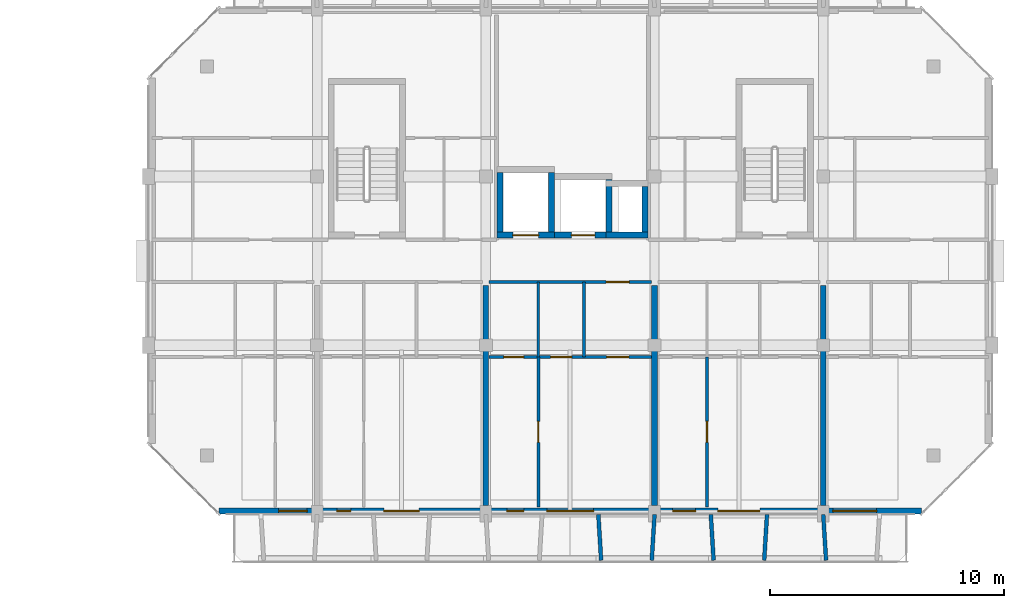
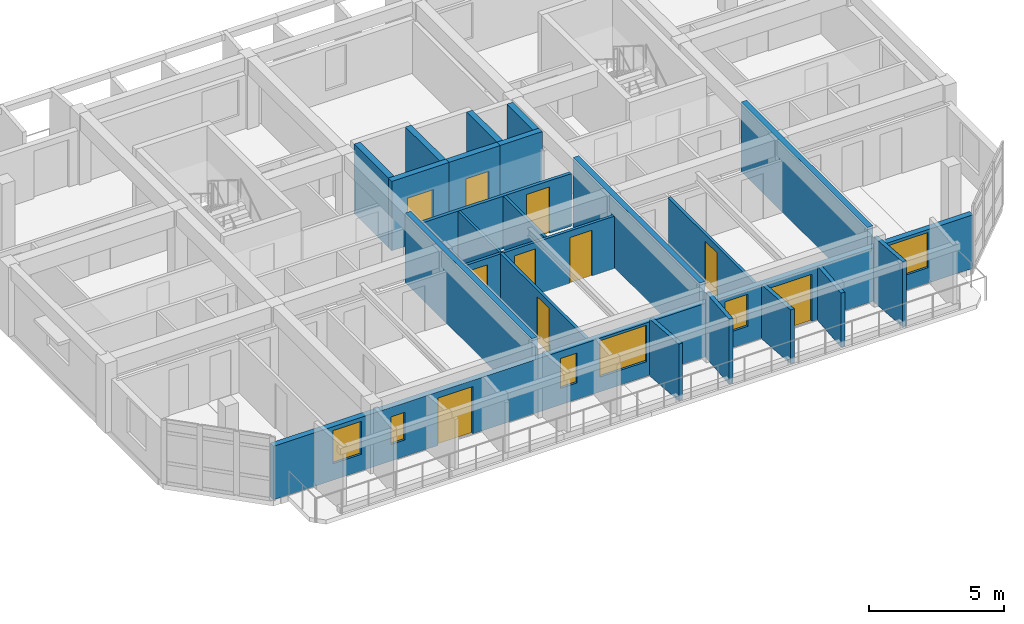
# One storey, part 22 of 43: 22 walls, 10 doors, 6 windows, 16 openings.
"""IFC4 building model written with IfcOpenShell, lengths in metres."""

from ifc_helpers import new_model, si_unit, direction, frame, frame_2d, origin, place, context, subcontext, project, spatial, rectangle, extrude, material, layer, layer_set, type_object, element, fill, save


model = new_model("IFC4")

# Units and contexts
model_context = context("Model", 3, precision=1e-05, world=origin(), true_north=direction((0.0, 1.0)))
body_context = subcontext(model_context, "Body", "Model", "MODEL_VIEW")
ifc_project = project(units=[si_unit("LENGTHUNIT", "METRE"), si_unit("AREAUNIT", "SQUARE_METRE"), si_unit("VOLUMEUNIT", "CUBIC_METRE"), si_unit("PLANEANGLEUNIT", "RADIAN"), si_unit("MASSUNIT", "GRAM", prefix="KILO")], contexts=[model_context])

# Site, building, storey
site_placement = place(None, origin())
site = spatial("IfcSite", under=ifc_project, at=site_placement, CompositionType="ELEMENT")
building_placement = place(site_placement, origin())
building = spatial("IfcBuilding", under=site, at=building_placement, Name="Ochrevale Crest", CompositionType="ELEMENT")
storey_placement = place(building_placement, frame((0.0, 0.0, 15.0)))
storey = spatial("IfcBuildingStorey", under=building, at=storey_placement, Name="L04", CompositionType="ELEMENT", Elevation=15.0)

# Wall, opening, door
ifc_material_1 = material(Name="Gypsum plasterboard", Category="gypsum")
ifc_layer_1 = layer(ifc_material_1, 0.139892578125)
ifc_layer_set_1 = layer_set([ifc_layer_1], Name="Gypsum plasterboard")
wall_type_1 = type_object("IfcWallType", Name="WL-COR-140", PredefinedType="PARTITIONING", material=ifc_layer_set_1)
wall_1_placement = place(storey_placement, frame((144.139892578125, 24.300048828125, 0.0), z_axis=(0.0, 0.0, 1.0), x_axis=(1.0, 0.0, 0.0)))
wall_1 = element("IfcWall", 1, at=wall_1_placement, inside=storey, type_object=wall_type_1, Name="Apartment C-L04-U3 corridor wall", PredefinedType="PARTITIONING", context=body_context, shape_type="SweptSolid", body=[
    extrude(rectangle(XDim=6.920166015625, YDim=0.139892578125, at=frame_2d((3.4599609375, 0.0))), origin(), (0.0, 0.0, 1.0), 2.3798828125),
])
opening_1_placement = place(wall_1_placement, frame((4.9951171875, 0.0, 0.0)))
opening_1 = element("IfcOpeningElement", 2, at=opening_1_placement, cuts=wall_1, Name="Opening FD01", PredefinedType="OPENING", context=body_context, shape_type="SweptSolid", body=[
    extrude(rectangle(XDim=0.97998046875, YDim=2.10009765625, at=frame_2d((0.489990234375, 1.050048828125))), frame((0.0, 0.080078125, 0.0), z_axis=(0.0, -1.0, 0.0), x_axis=(1.0, 0.0, 0.0)), (0.0, 0.0, 1.0), 0.159912109375),
])
ifc_material_2 = material(Name="Solid-core FSC hardwood", Category="wood")
door_type_1 = type_object("IfcDoorType", Name="DR-APT-950", OperationType="NOTDEFINED", PredefinedType="DOOR", material=ifc_material_2)
door_1_placement = place(opening_1_placement, origin())
door_1 = element("IfcDoor", 3, at=door_1_placement, inside=storey, type_object=door_type_1, Name="Apartment C-L04-U3 entrance door", OperationType="SINGLE_SWING_LEFT", OverallHeight=2.10009765625, OverallWidth=0.97998046875, PredefinedType="DOOR", context=body_context, shape_type="SweptSolid", body=[
    extrude(rectangle(XDim=0.97998046875, YDim=2.10009765625, at=frame_2d((0.489990234375, 1.050048828125))), frame((0.0, 0.02490234375, 0.0), z_axis=(0.0, -1.0, 0.0), x_axis=(1.0, 0.0, 0.0)), (0.0, 0.0, 1.0), 0.050048828125),
])
fill(opening_1, door_1)

ifc_material_3 = material(Name="Precast concrete C50/60", Category="concrete")
ifc_layer_2 = layer(ifc_material_3, 0.2548828125)
ifc_layer_set_2 = layer_set([ifc_layer_2], Name="Precast concrete C50/60")
wall_type_2 = type_object("IfcWallType", Name="WL-CORE-255", PredefinedType="SHEAR", material=ifc_layer_set_2)
wall_2_placement = place(storey_placement, frame((144.472412109375, 26.300048828125, 0.0), z_axis=(0.0, 0.0, 1.0), x_axis=(1.0, 0.0, 0.0)))
wall_2 = element("IfcWall", 4, at=wall_2_placement, inside=storey, type_object=wall_type_2, Name="Block C L04 Lift 1 precast shaft shear wall S", PredefinedType="SHEAR", context=body_context, shape_type="SweptSolid", body=[
    extrude(rectangle(XDim=2.455078125, YDim=0.2548828125, at=frame_2d((1.2275390625, 0.0))), origin(), (0.0, 0.0, 1.0), 3.14990234375),
])
opening_2_placement = place(wall_2_placement, frame((0.677490234375, 0.0, 0.0)))
opening_2 = element("IfcOpeningElement", 5, at=opening_2_placement, cuts=wall_2, Name="Opening LD01", PredefinedType="OPENING", context=body_context, shape_type="SweptSolid", body=[
    extrude(rectangle(XDim=1.10009765625, YDim=2.14990234375, at=frame_2d((0.550048828125, 1.074951171875))), frame((0.0, 0.137451171875, 0.0), z_axis=(0.0, -1.0, 0.0), x_axis=(1.0, 0.0, 0.0)), (0.0, 0.0, 1.0), 0.27490234375),
])
door_type_2 = type_object("IfcDoorType", Name="DR-LIFT-1100", OperationType="NOTDEFINED", PredefinedType="DOOR", material=ifc_material_2)
door_2_placement = place(opening_2_placement, origin())
door_2 = element("IfcDoor", 6, at=door_2_placement, inside=storey, type_object=door_type_2, Name="Lift LF-C1 L04 sliding landing door", OperationType="SLIDING_TO_LEFT", OverallHeight=2.14990234375, OverallWidth=1.10009765625, PredefinedType="DOOR", context=body_context, shape_type="SweptSolid", body=[
    extrude(rectangle(XDim=1.10009765625, YDim=2.14990234375, at=frame_2d((0.550048828125, 1.074951171875))), frame((0.0, 0.02490234375, 0.0), z_axis=(0.0, -1.0, 0.0), x_axis=(1.0, 0.0, 0.0)), (0.0, 0.0, 1.0), 0.050048828125),
])
fill(opening_2, door_2)

# Walls
for number, where, z_axis, x_axis, name in (
    (7, (144.60009765625, 26.427490234375, 0.0), (0.0, 0.0, 1.0), (0.0, 1.0, 0.0), "Block C L04 Lift 1 precast shaft shear wall W"),
    (8, (146.800048828125, 26.427490234375, 0.0), (0.0, 0.0, 1.0), (0.0, 1.0, 0.0), "Block C L04 Lift 1 precast shaft shear wall E"),
):
    element("IfcWall", number, at=place(storey_placement, frame(where, z_axis=z_axis, x_axis=x_axis)), inside=storey, type_object=wall_type_2, Name=name, PredefinedType="SHEAR", context=body_context, shape_type="SweptSolid", body=[
        extrude(rectangle(XDim=2.544921875, YDim=0.2548828125, at=frame_2d((1.2724609375, 0.0))), origin(), (0.0, 0.0, 1.0), 3.14990234375),
    ])

# Wall, opening, door
wall_3_placement = place(storey_placement, frame((146.922607421875, 26.300048828125, 0.0), z_axis=(0.0, 0.0, 1.0), x_axis=(1.0, 0.0, 0.0)))
wall_3 = element("IfcWall", 9, at=wall_3_placement, inside=storey, type_object=wall_type_2, Name="Block C L04 Lift 2 precast shaft shear wall S", PredefinedType="SHEAR", context=body_context, shape_type="SweptSolid", body=[
    extrude(rectangle(XDim=2.454833984375, YDim=0.2548828125, at=frame_2d((1.2275390625, 0.0))), origin(), (0.0, 0.0, 1.0), 3.14990234375),
])
opening_3_placement = place(wall_3_placement, frame((0.7275390625, 0.0, 0.0)))
opening_3 = element("IfcOpeningElement", 10, at=opening_3_placement, cuts=wall_3, Name="Opening LD02", PredefinedType="OPENING", context=body_context, shape_type="SweptSolid", body=[
    extrude(rectangle(XDim=1.0, YDim=2.14990234375, at=frame_2d((0.5, 1.074951171875))), frame((0.0, 0.137451171875, 0.0), z_axis=(0.0, -1.0, 0.0), x_axis=(1.0, 0.0, 0.0)), (0.0, 0.0, 1.0), 0.27490234375),
])
door_type_3 = type_object("IfcDoorType", Name="DR-LIFT-1000", OperationType="NOTDEFINED", PredefinedType="DOOR", material=ifc_material_2)
door_3_placement = place(opening_3_placement, origin())
door_3 = element("IfcDoor", 11, at=door_3_placement, inside=storey, type_object=door_type_3, Name="Lift LP-C2 L04 sliding landing door", OperationType="SLIDING_TO_RIGHT", OverallHeight=2.14990234375, OverallWidth=1.0, PredefinedType="DOOR", context=body_context, shape_type="SweptSolid", body=[
    extrude(rectangle(XDim=1.0, YDim=2.14990234375, at=frame_2d((0.5, 1.074951171875))), frame((0.0, 0.02490234375, 0.0), z_axis=(0.0, -1.0, 0.0), x_axis=(1.0, 0.0, 0.0)), (0.0, 0.0, 1.0), 0.050048828125),
])
fill(opening_3, door_3)

# Walls
wall_4_placement = place(storey_placement, frame((149.25, 26.427490234375, 0.0), z_axis=(0.0, 0.0, 1.0), x_axis=(0.0, 1.0, 0.0)))
element("IfcWall", 12, at=wall_4_placement, inside=storey, type_object=wall_type_2, Name="Block C L04 Lift 2 precast shaft shear wall E", PredefinedType="SHEAR", context=body_context, shape_type="SweptSolid", body=[
    extrude(rectangle(XDim=2.2451171875, YDim=0.2548828125, at=frame_2d((1.12255859375, 0.0))), origin(), (0.0, 0.0, 1.0), 3.14990234375),
])
wall_5_placement = place(storey_placement, frame((149.12255859375, 26.300048828125, 0.0), z_axis=(0.0, 0.0, 1.0), x_axis=(1.0, 0.0, 0.0)))
element("IfcWall", 13, at=wall_5_placement, inside=storey, type_object=wall_type_2, Name="Block C L04 services riser shaft core wall S", PredefinedType="SHEAR", context=body_context, shape_type="SweptSolid", body=[
    extrude(rectangle(XDim=1.804931640625, YDim=0.2548828125, at=frame_2d((0.90234375, 0.0))), origin(), (0.0, 0.0, 1.0), 3.14990234375),
])
wall_6_placement = place(storey_placement, frame((150.800048828125, 26.427490234375, 0.0), z_axis=(0.0, 0.0, 1.0), x_axis=(0.0, 1.0, 0.0)))
element("IfcWall", 14, at=wall_6_placement, inside=storey, type_object=wall_type_2, Name="Block C L04 services riser shaft core wall E", PredefinedType="SHEAR", context=body_context, shape_type="SweptSolid", body=[
    extrude(rectangle(XDim=1.945068359375, YDim=0.2548828125, at=frame_2d((0.97265625, 0.0))), origin(), (0.0, 0.0, 1.0), 3.14990234375),
])

# Wall, openings, doors, windows
ifc_material_4 = material(Name="Precast concrete C40/50", Category="concrete")
ifc_layer_3 = layer(ifc_material_4, 0.25)
ifc_layer_set_3 = layer_set([ifc_layer_3], Name="Precast concrete C40/50")
wall_type_3 = type_object("IfcWallType", Name="WL-EXT-GOLD-250", PredefinedType="SOLIDWALL", material=ifc_layer_set_3)
wall_7_placement = place(storey_placement, frame((132.60009765625, 14.52490234375, 0.0), z_axis=(0.0, 0.0, 1.0), x_axis=(1.0, 0.0, 0.0)))
wall_7 = element("IfcWall", 15, at=wall_7_placement, inside=storey, type_object=wall_type_3, Name="Block C L04 external facade wall E1", PredefinedType="SOLIDWALL", context=body_context, shape_type="SweptSolid", body=[
    extrude(rectangle(XDim=30.0, YDim=0.25, at=frame_2d((15.0, 0.0))), origin(), (0.0, 0.0, 1.0), 2.429931640625),
])
opening_4_placement = place(wall_7_placement, frame((8.550048828125, 0.0, 0.0), z_axis=(0.0, 0.0, 1.0), x_axis=(-1.0, 0.0, 0.0)))
opening_4 = element("IfcOpeningElement", 16, at=opening_4_placement, cuts=wall_7, Name="Opening BD01", PredefinedType="OPENING", context=body_context, shape_type="SweptSolid", body=[
    extrude(rectangle(XDim=1.5, YDim=2.14990234375, at=frame_2d((0.75, 1.074951171875))), frame((0.0, 0.135009765625, 0.0), z_axis=(0.0, -1.0, 0.0), x_axis=(1.0, 0.0, 0.0)), (0.0, 0.0, 1.0), 0.27001953125),
])
opening_5_placement = place(wall_7_placement, frame((23.10009765625, 0.0, 0.0), z_axis=(0.0, 0.0, 1.0), x_axis=(-1.0, 0.0, 0.0)))
opening_5 = element("IfcOpeningElement", 17, at=opening_5_placement, cuts=wall_7, Name="Opening BD03", PredefinedType="OPENING", context=body_context, shape_type="SweptSolid", body=[
    extrude(rectangle(XDim=1.800048828125, YDim=2.14990234375, at=frame_2d((0.89990234375, 1.074951171875))), frame((0.0, 0.135009765625, 0.0), z_axis=(0.0, -1.0, 0.0), x_axis=(1.0, 0.0, 0.0)), (0.0, 0.0, 1.0), 0.27001953125),
])
opening_6_placement = place(wall_7_placement, frame((2.554931640625, 0.0, 0.75)))
opening_6 = element("IfcOpeningElement", 18, at=opening_6_placement, cuts=wall_7, Name="Opening W06", PredefinedType="OPENING", context=body_context, shape_type="SweptSolid", body=[
    extrude(rectangle(XDim=1.219970703125, YDim=1.5, at=frame_2d((0.60986328125, 0.75))), frame((0.0, 0.135009765625, 0.0), z_axis=(0.0, -1.0, 0.0), x_axis=(1.0, 0.0, 0.0)), (0.0, 0.0, 1.0), 0.27001953125),
])
opening_7_placement = place(wall_7_placement, frame((5.034912109375, 0.0, 0.75)))
opening_7 = element("IfcOpeningElement", 19, at=opening_7_placement, cuts=wall_7, Name="Opening W01", PredefinedType="OPENING", context=body_context, shape_type="SweptSolid", body=[
    extrude(rectangle(XDim=0.60009765625, YDim=1.25, at=frame_2d((0.300048828125, 0.625))), frame((0.0, 0.135009765625, 0.0), z_axis=(0.0, -1.0, 0.0), x_axis=(1.0, 0.0, 0.0)), (0.0, 0.0, 1.0), 0.27001953125),
])
opening_8_placement = place(wall_7_placement, frame((12.300048828125, 0.0, 0.75)))
opening_8 = element("IfcOpeningElement", 20, at=opening_8_placement, cuts=wall_7, Name="Opening W02", PredefinedType="OPENING", context=body_context, shape_type="SweptSolid", body=[
    extrude(rectangle(XDim=0.719970703125, YDim=1.35009765625, at=frame_2d((0.35986328125, 0.675048828125))), frame((0.0, 0.135009765625, 0.0), z_axis=(0.0, -1.0, 0.0), x_axis=(1.0, 0.0, 0.0)), (0.0, 0.0, 1.0), 0.27001953125),
])
opening_9_placement = place(wall_7_placement, frame((14.0, 0.0, 0.669921875)))
opening_9 = element("IfcOpeningElement", 21, at=opening_9_placement, cuts=wall_7, Name="Opening W12", PredefinedType="OPENING", context=body_context, shape_type="SweptSolid", body=[
    extrude(rectangle(XDim=2.0, YDim=1.64990234375, at=frame_2d((1.0, 0.824951171875))), frame((0.0, 0.135009765625, 0.0), z_axis=(0.0, -1.0, 0.0), x_axis=(1.0, 0.0, 0.0)), (0.0, 0.0, 1.0), 0.27001953125),
])
opening_10_placement = place(wall_7_placement, frame((19.3701171875, 0.0, 0.75)))
opening_10 = element("IfcOpeningElement", 22, at=opening_10_placement, cuts=wall_7, Name="Opening W04", PredefinedType="OPENING", context=body_context, shape_type="SweptSolid", body=[
    extrude(rectangle(XDim=0.97998046875, YDim=1.449951171875, at=frame_2d((0.489990234375, 0.72509765625))), frame((0.0, 0.135009765625, 0.0), z_axis=(0.0, -1.0, 0.0), x_axis=(1.0, 0.0, 0.0)), (0.0, 0.0, 1.0), 0.27001953125),
])
opening_11_placement = place(wall_7_placement, frame((26.215087890625, 0.0, 0.699951171875)))
opening_11 = element("IfcOpeningElement", 23, at=opening_11_placement, cuts=wall_7, Name="Opening W11", PredefinedType="OPENING", context=body_context, shape_type="SweptSolid", body=[
    extrude(rectangle(XDim=1.860107421875, YDim=1.60009765625, at=frame_2d((0.93017578125, 0.800048828125))), frame((0.0, 0.135009765625, 0.0), z_axis=(0.0, -1.0, 0.0), x_axis=(1.0, 0.0, 0.0)), (0.0, 0.0, 1.0), 0.27001953125),
])
ifc_material_5 = material(Name="Anodised aluminium 6063-T5 and toughened glass", Category="aluminium")
door_type_4 = type_object("IfcDoorType", Name="DR-BAL-1500", OperationType="NOTDEFINED", PredefinedType="DOOR", material=ifc_material_5)
door_4_placement = place(opening_4_placement, origin())
door_4 = element("IfcDoor", 24, at=door_4_placement, inside=storey, type_object=door_type_4, Name="Block C L04 balcony door S2", OperationType="SINGLE_SWING_RIGHT", OverallHeight=2.14990234375, OverallWidth=1.5, PredefinedType="DOOR", context=body_context, shape_type="SweptSolid", body=[
    extrude(rectangle(XDim=1.5, YDim=2.14990234375, at=frame_2d((0.75, 1.074951171875))), frame((0.0, 0.02490234375, 0.0), z_axis=(0.0, -1.0, 0.0), x_axis=(1.0, 0.0, 0.0)), (0.0, 0.0, 1.0), 0.050048828125),
])
fill(opening_4, door_4)
door_type_5 = type_object("IfcDoorType", Name="DR-BAL-1800", OperationType="NOTDEFINED", PredefinedType="DOOR", material=ifc_material_5)
door_5_placement = place(opening_5_placement, origin())
door_5 = element("IfcDoor", 25, at=door_5_placement, inside=storey, type_object=door_type_5, Name="Block C L04 balcony door S4", OperationType="SINGLE_SWING_LEFT", OverallHeight=2.14990234375, OverallWidth=1.800048828125, PredefinedType="DOOR", context=body_context, shape_type="SweptSolid", body=[
    extrude(rectangle(XDim=1.800048828125, YDim=2.14990234375, at=frame_2d((0.89990234375, 1.074951171875))), frame((0.0, 0.02490234375, 0.0), z_axis=(0.0, -1.0, 0.0), x_axis=(1.0, 0.0, 0.0)), (0.0, 0.0, 1.0), 0.050048828125),
])
fill(opening_5, door_5)
ifc_material_6 = material(Name="Anodised aluminium 6063-T5 and low-E double glazing", Category="aluminium")
window_type_1 = type_object("IfcWindowType", Name="WIN-W01", PartitioningType="SINGLE_PANEL", PredefinedType="WINDOW", material=ifc_material_6)
window_1_placement = place(opening_7_placement, origin())
window_1 = element("IfcWindow", 26, at=window_1_placement, inside=storey, type_object=window_type_1, Name="Block C L04 Apartment C-L04-U2 Master Bedroom window", OverallHeight=1.25, OverallWidth=0.60009765625, PartitioningType="SINGLE_PANEL", PredefinedType="WINDOW", context=body_context, shape_type="SweptSolid", body=[
    extrude(rectangle(XDim=0.60009765625, YDim=1.25, at=frame_2d((0.300048828125, 0.625))), frame((0.0, 0.030029296875, 0.0), z_axis=(0.0, -1.0, 0.0), x_axis=(1.0, 0.0, 0.0)), (0.0, 0.0, 1.0), 0.06005859375),
])
fill(opening_7, window_1)
window_type_2 = type_object("IfcWindowType", Name="WIN-W02", PartitioningType="SINGLE_PANEL", PredefinedType="WINDOW", material=ifc_material_6)
window_2_placement = place(opening_8_placement, origin())
window_2 = element("IfcWindow", 27, at=window_2_placement, inside=storey, type_object=window_type_2, Name="Block C L04 Apartment C-L04-U3 Master Bedroom window", OverallHeight=1.35009765625, OverallWidth=0.719970703125, PartitioningType="SINGLE_PANEL", PredefinedType="WINDOW", context=body_context, shape_type="SweptSolid", body=[
    extrude(rectangle(XDim=0.719970703125, YDim=1.35009765625, at=frame_2d((0.35986328125, 0.675048828125))), frame((0.0, 0.030029296875, 0.0), z_axis=(0.0, -1.0, 0.0), x_axis=(1.0, 0.0, 0.0)), (0.0, 0.0, 1.0), 0.06005859375),
])
fill(opening_8, window_2)
window_type_3 = type_object("IfcWindowType", Name="WIN-W04", PartitioningType="SINGLE_PANEL", PredefinedType="WINDOW", material=ifc_material_6)
window_3_placement = place(opening_10_placement, origin())
window_3 = element("IfcWindow", 28, at=window_3_placement, inside=storey, type_object=window_type_3, Name="Block C L04 Apartment C-L04-U4 Twin Bedroom window", OverallHeight=1.449951171875, OverallWidth=0.97998046875, PartitioningType="SINGLE_PANEL", PredefinedType="WINDOW", context=body_context, shape_type="SweptSolid", body=[
    extrude(rectangle(XDim=0.97998046875, YDim=1.449951171875, at=frame_2d((0.489990234375, 0.72509765625))), frame((0.0, 0.030029296875, 0.0), z_axis=(0.0, -1.0, 0.0), x_axis=(1.0, 0.0, 0.0)), (0.0, 0.0, 1.0), 0.06005859375),
])
fill(opening_10, window_3)
window_type_4 = type_object("IfcWindowType", Name="WIN-W06", PartitioningType="SINGLE_PANEL", PredefinedType="WINDOW", material=ifc_material_6)
window_4_placement = place(opening_6_placement, origin())
window_4 = element("IfcWindow", 29, at=window_4_placement, inside=storey, type_object=window_type_4, Name="Block C L04 Apartment C-L04-U1 Two Bedroom Living Room window", OverallHeight=1.5, OverallWidth=1.219970703125, PartitioningType="SINGLE_PANEL", PredefinedType="WINDOW", context=body_context, shape_type="SweptSolid", body=[
    extrude(rectangle(XDim=1.219970703125, YDim=1.5, at=frame_2d((0.60986328125, 0.75))), frame((0.0, 0.030029296875, 0.0), z_axis=(0.0, -1.0, 0.0), x_axis=(1.0, 0.0, 0.0)), (0.0, 0.0, 1.0), 0.06005859375),
])
fill(opening_6, window_4)
window_type_5 = type_object("IfcWindowType", Name="WIN-W11", PartitioningType="SINGLE_PANEL", PredefinedType="WINDOW", material=ifc_material_6)
window_5_placement = place(opening_11_placement, origin())
window_5 = element("IfcWindow", 30, at=window_5_placement, inside=storey, type_object=window_type_5, Name="Block C L04 Studio C-L04-U5 Living Room window", OverallHeight=1.60009765625, OverallWidth=1.860107421875, PartitioningType="SINGLE_PANEL", PredefinedType="WINDOW", context=body_context, shape_type="SweptSolid", body=[
    extrude(rectangle(XDim=1.860107421875, YDim=1.60009765625, at=frame_2d((0.93017578125, 0.800048828125))), frame((0.0, 0.030029296875, 0.0), z_axis=(0.0, -1.0, 0.0), x_axis=(1.0, 0.0, 0.0)), (0.0, 0.0, 1.0), 0.06005859375),
])
fill(opening_11, window_5)
window_type_6 = type_object("IfcWindowType", Name="WIN-W12", PartitioningType="SINGLE_PANEL", PredefinedType="WINDOW", material=ifc_material_6)
window_6_placement = place(opening_9_placement, origin())
window_6 = element("IfcWindow", 31, at=window_6_placement, inside=storey, type_object=window_type_6, Name="Block C L04 Apartment C-L04-U3 One Bedroom Living Room window", OverallHeight=1.64990234375, OverallWidth=2.0, PartitioningType="SINGLE_PANEL", PredefinedType="WINDOW", context=body_context, shape_type="SweptSolid", body=[
    extrude(rectangle(XDim=2.0, YDim=1.64990234375, at=frame_2d((1.0, 0.824951171875))), frame((0.0, 0.030029296875, 0.0), z_axis=(0.0, -1.0, 0.0), x_axis=(1.0, 0.0, 0.0)), (0.0, 0.0, 1.0), 0.06005859375),
])
fill(opening_9, window_6)

# Walls
ifc_layer_4 = layer(ifc_material_4, 0.1650390625)
ifc_layer_set_4 = layer_set([ifc_layer_4], Name="Precast concrete C40/50")
wall_type_4 = type_object("IfcWallType", Name="WL-HC-CHEEK-165", PredefinedType="ELEMENTEDWALL", material=ifc_layer_set_4)
wall_8_placement = place(storey_placement, frame((148.800048828125, 14.3798828125, 0.0), z_axis=(0.0, 0.0, 1.0), x_axis=(0.061046865508, -0.998134900808, 0.0)))
element("IfcWall", 32, at=wall_8_placement, inside=storey, type_object=wall_type_4, Name="Block C L04 S precast honeycomb cheek 7", PredefinedType="ELEMENTEDWALL", context=body_context, shape_type="SweptSolid", body=[
    extrude(rectangle(XDim=1.963623046875, YDim=0.1650390625, at=frame_2d((0.98193359375, 0.0))), origin(), (0.0, 0.0, 1.0), 2.580078125),
])
wall_9_placement = place(storey_placement, frame((151.199951171875, 14.3798828125, 0.0), z_axis=(0.0, 0.0, 1.0), x_axis=(-0.061046865508, -0.998134900808, 0.0)))
element("IfcWall", 33, at=wall_9_placement, inside=storey, type_object=wall_type_4, Name="Block C L04 S precast honeycomb cheek 8", PredefinedType="ELEMENTEDWALL", context=body_context, shape_type="SweptSolid", body=[
    extrude(rectangle(XDim=1.963623046875, YDim=0.1650390625, at=frame_2d((0.98193359375, 0.0))), origin(), (0.0, 0.0, 1.0), 2.949951171875),
])
for number, where, z_axis, x_axis, name in (
    (34, (153.60009765625, 14.3798828125, 0.0), (0.0, 0.0, 1.0), (0.061046865508, -0.998134900808, 0.0), "Block C L04 S precast honeycomb cheek 9"),
    (35, (156.0, 14.3798828125, 0.0), (0.0, 0.0, 1.0), (-0.061170732449, -0.998127317276, 0.0), "Block C L04 S precast honeycomb cheek 10"),
):
    element("IfcWall", number, at=place(storey_placement, frame(where, z_axis=z_axis, x_axis=x_axis)), inside=storey, type_object=wall_type_4, Name=name, PredefinedType="ELEMENTEDWALL", context=body_context, shape_type="SweptSolid", body=[
        extrude(rectangle(XDim=1.963623046875, YDim=0.1650390625, at=frame_2d((0.98193359375, 0.0))), origin(), (0.0, 0.0, 1.0), 2.449951171875),
    ])
wall_10_placement = place(storey_placement, frame((158.39990234375, 14.3798828125, 0.0), z_axis=(0.0, 0.0, 1.0), x_axis=(0.061170732449, -0.998127317276, 0.0)))
element("IfcWall", 36, at=wall_10_placement, inside=storey, type_object=wall_type_4, Name="Block C L04 S precast honeycomb cheek 11", PredefinedType="ELEMENTEDWALL", context=body_context, shape_type="SweptSolid", body=[
    extrude(rectangle(XDim=1.963623046875, YDim=0.1650390625, at=frame_2d((0.98193359375, 0.0))), origin(), (0.0, 0.0, 1.0), 2.949951171875),
])
ifc_layer_5 = layer(ifc_material_1, 0.1201171875)
ifc_layer_set_5 = layer_set([ifc_layer_5], Name="Gypsum plasterboard")
wall_type_5 = type_object("IfcWallType", Name="WL-PART-120", PredefinedType="PARTITIONING", material=ifc_layer_set_5)
wall_11_placement = place(storey_placement, frame((148.18994140625, 21.10009765625, 0.0), z_axis=(0.0, 0.0, 1.0), x_axis=(0.0, 1.0, 0.0)))
element("IfcWall", 37, at=wall_11_placement, inside=storey, type_object=wall_type_5, Name="Apartment C-L04-U3 kitchen-foyer wall", PredefinedType="PARTITIONING", context=body_context, shape_type="SweptSolid", body=[
    extrude(rectangle(XDim=3.199951171875, YDim=0.1201171875, at=frame_2d((1.60009765625, 0.0))), origin(), (0.0, 0.0, 1.0), 2.375),
])

# Wall, openings, doors
wall_12_placement = place(storey_placement, frame((144.139892578125, 21.10009765625, 0.0), z_axis=(0.0, 0.0, 1.0), x_axis=(1.0, 0.0, 0.0)))
wall_12 = element("IfcWall", 38, at=wall_12_placement, inside=storey, type_object=wall_type_5, Name="Apartment C-L04-U3 central partition", PredefinedType="PARTITIONING", context=body_context, shape_type="SweptSolid", body=[
    extrude(rectangle(XDim=6.920166015625, YDim=0.1201171875, at=frame_2d((3.4599609375, 0.0))), origin(), (0.0, 0.0, 1.0), 2.3798828125),
])
opening_12_placement = place(wall_12_placement, frame((1.47509765625, 0.0, 0.0), z_axis=(0.0, 0.0, 1.0), x_axis=(-1.0, 0.0, 0.0)))
opening_12 = element("IfcOpeningElement", 39, at=opening_12_placement, cuts=wall_12, Name="Opening ID01", PredefinedType="OPENING", context=body_context, shape_type="SweptSolid", body=[
    extrude(rectangle(XDim=0.85009765625, YDim=2.080078125, at=frame_2d((0.425048828125, 1.0400390625))), frame((0.0, 0.070068359375, 0.0), z_axis=(0.0, -1.0, 0.0), x_axis=(1.0, 0.0, 0.0)), (0.0, 0.0, 1.0), 0.14013671875),
])
opening_13_placement = place(wall_12_placement, frame((2.625, 0.0, 0.0)))
opening_13 = element("IfcOpeningElement", 40, at=opening_13_placement, cuts=wall_12, Name="Opening ID02", PredefinedType="OPENING", context=body_context, shape_type="SweptSolid", body=[
    extrude(rectangle(XDim=0.89990234375, YDim=2.080078125, at=frame_2d((0.449951171875, 1.0400390625))), frame((0.0, 0.070068359375, 0.0), z_axis=(0.0, -1.0, 0.0), x_axis=(1.0, 0.0, 0.0)), (0.0, 0.0, 1.0), 0.14013671875),
])
opening_14_placement = place(wall_12_placement, frame((5.9599609375, 0.0, 0.0), z_axis=(0.0, 0.0, 1.0), x_axis=(-1.0, 0.0, 0.0)))
opening_14 = element("IfcOpeningElement", 41, at=opening_14_placement, cuts=wall_12, Name="Opening ID06", PredefinedType="OPENING", context=body_context, shape_type="SweptSolid", body=[
    extrude(rectangle(XDim=0.949951171875, YDim=2.080078125, at=frame_2d((0.47509765625, 1.0400390625))), frame((0.0, 0.070068359375, 0.0), z_axis=(0.0, -1.0, 0.0), x_axis=(1.0, 0.0, 0.0)), (0.0, 0.0, 1.0), 0.14013671875),
])
door_type_6 = type_object("IfcDoorType", Name="DR-INT-900", OperationType="NOTDEFINED", PredefinedType="DOOR", material=ifc_material_2)
door_6_placement = place(opening_13_placement, origin())
door_6 = element("IfcDoor", 42, at=door_6_placement, inside=storey, type_object=door_type_6, Name="Apartment C-L04-U3 Kitchen door", OperationType="SINGLE_SWING_LEFT", OverallHeight=2.080078125, OverallWidth=0.89990234375, PredefinedType="DOOR", context=body_context, shape_type="SweptSolid", body=[
    extrude(rectangle(XDim=0.89990234375, YDim=2.080078125, at=frame_2d((0.449951171875, 1.0400390625))), frame((0.0, 0.02490234375, 0.0), z_axis=(0.0, -1.0, 0.0), x_axis=(1.0, 0.0, 0.0)), (0.0, 0.0, 1.0), 0.050048828125),
])
fill(opening_13, door_6)
door_type_7 = type_object("IfcDoorType", Name="DR-INT-950", OperationType="NOTDEFINED", PredefinedType="DOOR", material=ifc_material_2)
door_7_placement = place(opening_14_placement, origin())
door_7 = element("IfcDoor", 43, at=door_7_placement, inside=storey, type_object=door_type_7, Name="Apartment C-L04-U3 Living Foyer door", OperationType="SINGLE_SWING_RIGHT", OverallHeight=2.080078125, OverallWidth=0.949951171875, PredefinedType="DOOR", context=body_context, shape_type="SweptSolid", body=[
    extrude(rectangle(XDim=0.949951171875, YDim=2.080078125, at=frame_2d((0.47509765625, 1.0400390625))), frame((0.0, 0.02490234375, 0.0), z_axis=(0.0, -1.0, 0.0), x_axis=(1.0, 0.0, 0.0)), (0.0, 0.0, 1.0), 0.050048828125),
])
fill(opening_14, door_7)
door_type_8 = type_object("IfcDoorType", Name="DR-WC-850", OperationType="NOTDEFINED", PredefinedType="DOOR", material=ifc_material_2)
door_8_placement = place(opening_12_placement, origin())
door_8 = element("IfcDoor", 44, at=door_8_placement, inside=storey, type_object=door_type_8, Name="Apartment C-L04-U3 Bathroom door", OperationType="SINGLE_SWING_RIGHT", OverallHeight=2.080078125, OverallWidth=0.85009765625, PredefinedType="DOOR", context=body_context, shape_type="SweptSolid", body=[
    extrude(rectangle(XDim=0.85009765625, YDim=2.080078125, at=frame_2d((0.425048828125, 1.0400390625))), frame((0.0, 0.02490234375, 0.0), z_axis=(0.0, -1.0, 0.0), x_axis=(1.0, 0.0, 0.0)), (0.0, 0.0, 1.0), 0.050048828125),
])
fill(opening_12, door_8)

# Wall, opening, door
wall_13_placement = place(storey_placement, frame((146.239990234375, 14.699951171875, 0.0), z_axis=(0.0, 0.0, 1.0), x_axis=(0.0, 1.0, 0.0)))
wall_13 = element("IfcWall", 45, at=wall_13_placement, inside=storey, type_object=wall_type_5, Name="Apartment C-L04-U3 bedroom partition", PredefinedType="PARTITIONING", context=body_context, shape_type="SweptSolid", body=[
    extrude(rectangle(XDim=6.400146484375, YDim=0.1201171875, at=frame_2d((3.2001953125, 0.0))), origin(), (0.0, 0.0, 1.0), 2.3798828125),
])
opening_15_placement = place(wall_13_placement, frame((2.75, 0.0, 0.0)))
opening_15 = element("IfcOpeningElement", 46, at=opening_15_placement, cuts=wall_13, Name="Opening ID02", PredefinedType="OPENING", context=body_context, shape_type="SweptSolid", body=[
    extrude(rectangle(XDim=0.89990234375, YDim=2.080078125, at=frame_2d((0.449951171875, 1.0400390625))), frame((0.0, 0.070068359375, 0.0), z_axis=(0.0, -1.0, 0.0), x_axis=(1.0, 0.0, 0.0)), (0.0, 0.0, 1.0), 0.14013671875),
])
door_9_placement = place(opening_15_placement, origin())
door_9 = element("IfcDoor", 47, at=door_9_placement, inside=storey, type_object=door_type_6, Name="Apartment C-L04-U3 Master Bedroom door", OperationType="SINGLE_SWING_LEFT", OverallHeight=2.080078125, OverallWidth=0.89990234375, PredefinedType="DOOR", context=body_context, shape_type="SweptSolid", body=[
    extrude(rectangle(XDim=0.89990234375, YDim=2.080078125, at=frame_2d((0.449951171875, 1.0400390625))), frame((0.0, 0.02490234375, 0.0), z_axis=(0.0, -1.0, 0.0), x_axis=(1.0, 0.0, 0.0)), (0.0, 0.0, 1.0), 0.050048828125),
])
fill(opening_15, door_9)

wall_14_placement = place(storey_placement, frame((153.43994140625, 14.699951171875, 0.0), z_axis=(0.0, 0.0, 1.0), x_axis=(0.0, 1.0, 0.0)))
wall_14 = element("IfcWall", 48, at=wall_14_placement, inside=storey, type_object=wall_type_5, Name="Apartment C-L04-U4 bedroom partition", PredefinedType="PARTITIONING", context=body_context, shape_type="SweptSolid", body=[
    extrude(rectangle(XDim=6.400146484375, YDim=0.1201171875, at=frame_2d((3.2001953125, 0.0))), origin(), (0.0, 0.0, 1.0), 2.3798828125),
])
opening_16_placement = place(wall_14_placement, frame((3.64990234375, 0.0, 0.0), z_axis=(0.0, 0.0, 1.0), x_axis=(-1.0, 0.0, 0.0)))
opening_16 = element("IfcOpeningElement", 49, at=opening_16_placement, cuts=wall_14, Name="Opening ID02", PredefinedType="OPENING", context=body_context, shape_type="SweptSolid", body=[
    extrude(rectangle(XDim=0.89990234375, YDim=2.080078125, at=frame_2d((0.449951171875, 1.0400390625))), frame((0.0, 0.070068359375, 0.0), z_axis=(0.0, -1.0, 0.0), x_axis=(1.0, 0.0, 0.0)), (0.0, 0.0, 1.0), 0.14013671875),
])
door_10_placement = place(opening_16_placement, origin())
door_10 = element("IfcDoor", 50, at=door_10_placement, inside=storey, type_object=door_type_6, Name="Apartment C-L04-U4 Twin Bedroom door", OperationType="SINGLE_SWING_RIGHT", OverallHeight=2.080078125, OverallWidth=0.89990234375, PredefinedType="DOOR", context=body_context, shape_type="SweptSolid", body=[
    extrude(rectangle(XDim=0.89990234375, YDim=2.080078125, at=frame_2d((0.449951171875, 1.0400390625))), frame((0.0, 0.02490234375, 0.0), z_axis=(0.0, -1.0, 0.0), x_axis=(1.0, 0.0, 0.0)), (0.0, 0.0, 1.0), 0.050048828125),
])
fill(opening_16, door_10)

# Walls
ifc_layer_6 = layer(ifc_material_3, 0.239990234375)
ifc_layer_set_6 = layer_set([ifc_layer_6], Name="Precast concrete C50/60")
wall_type_6 = type_object("IfcWallType", Name="WL-SHEAR-240", PredefinedType="SHEAR", material=ifc_layer_set_6)
for number, where, z_axis, x_axis, name in (
    (51, (144.0, 14.75, 0.0), (0.0, 0.0, 1.0), (0.0, 1.0, 0.0), "Block C L04 load-bearing precast cross-wall X=144.0"),
    (52, (151.199951171875, 14.75, 0.0), (0.0, 0.0, 1.0), (0.0, 1.0, 0.0), "Block C L04 load-bearing precast cross-wall X=151.2"),
    (53, (158.39990234375, 14.75, 0.0), (0.0, 0.0, 1.0), (0.0, 1.0, 0.0), "Block C L04 load-bearing precast cross-wall X=158.4"),
):
    element("IfcWall", number, at=place(storey_placement, frame(where, z_axis=z_axis, x_axis=x_axis)), inside=storey, type_object=wall_type_6, Name=name, PredefinedType="SHEAR", context=body_context, shape_type="SweptSolid", body=[
        extrude(rectangle(XDim=9.39990234375, YDim=0.239990234375, at=frame_2d((4.699951171875, 0.0))), origin(), (0.0, 0.0, 1.0), 3.14990234375),
    ])
ifc_layer_7 = layer(ifc_material_1, 0.10009765625)
ifc_layer_set_7 = layer_set([ifc_layer_7], Name="Gypsum plasterboard")
wall_type_7 = type_object("IfcWallType", Name="WL-WET-100", PredefinedType="PARTITIONING", material=ifc_layer_set_7)
wall_15_placement = place(storey_placement, frame((146.239990234375, 21.10009765625, 0.0), z_axis=(0.0, 0.0, 1.0), x_axis=(0.0, 1.0, 0.0)))
element("IfcWall", 54, at=wall_15_placement, inside=storey, type_object=wall_type_7, Name="Apartment C-L04-U3 bath-kitchen wall", PredefinedType="PARTITIONING", context=body_context, shape_type="SweptSolid", body=[
    extrude(rectangle(XDim=3.199951171875, YDim=0.10009765625, at=frame_2d((1.60009765625, 0.0))), origin(), (0.0, 0.0, 1.0), 2.375),
])

save(model, "model.ifc")
